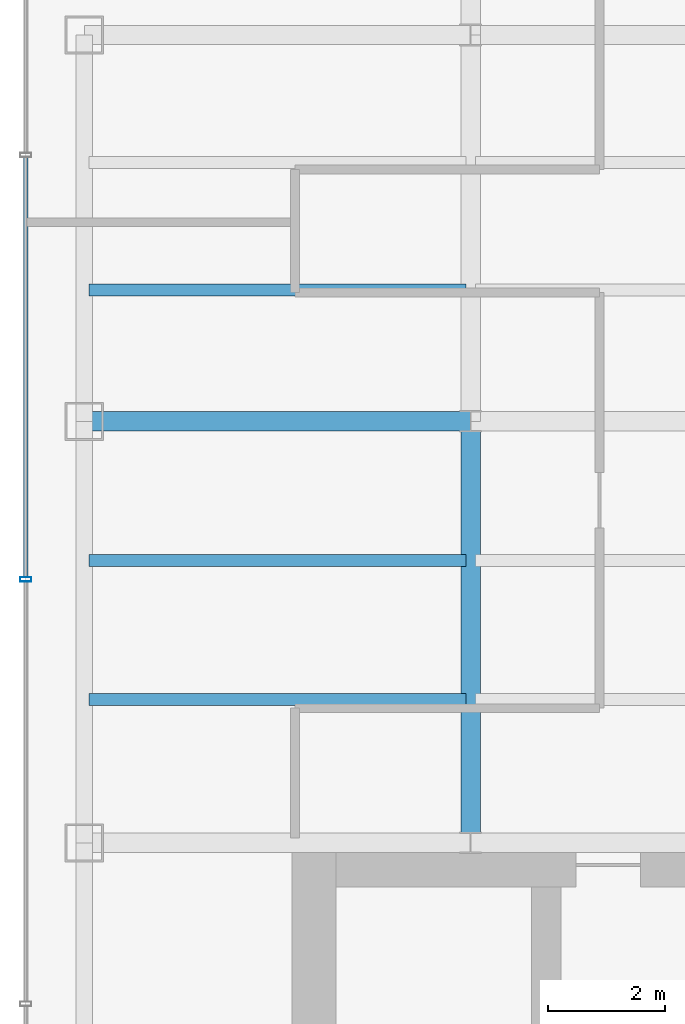
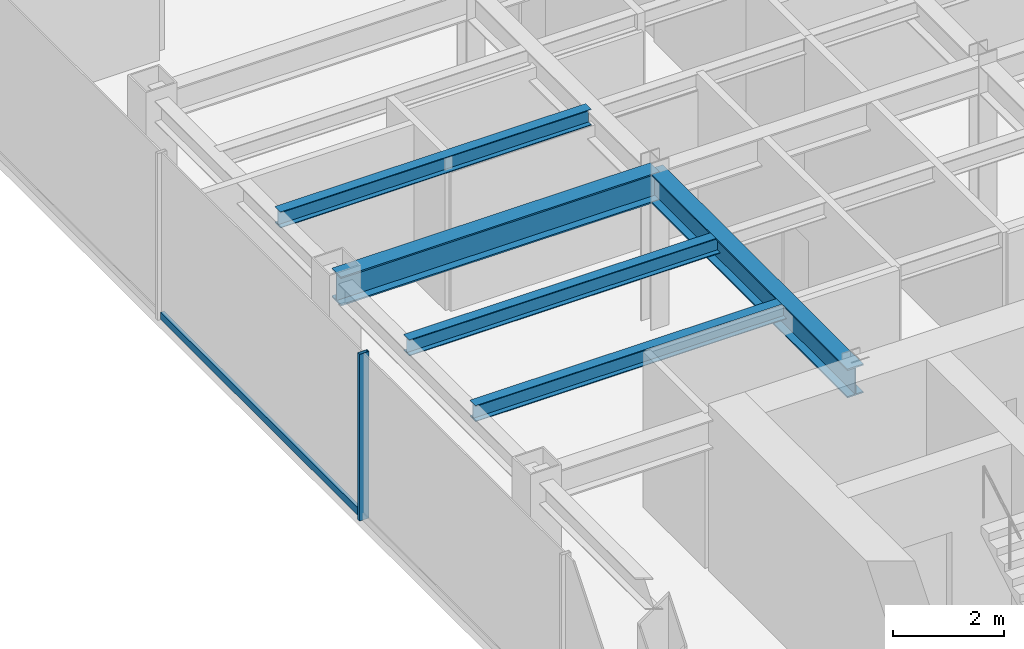
# One storey, part 5 of 25: 5 beams, 2 members, 1 element without a shape of its own.
"""IFC4 building model written with IfcOpenShell, lengths in metres."""

from ifc_helpers import new_model, si_unit, derived_unit, direction, frame, origin, origin_2d, place, context, subcontext, project, spatial, hollow_rectangle, i_section, extrude, source, transform, mapped, material, material_profile, profile_set, type_object, element, aggregate, save


model = new_model("IFC4")

# Units and contexts
model_context = context("Model", 3, precision=1e-05, world=origin(), true_north=direction((0.0, 1.0)))
body_context = subcontext(model_context, "Body", "Model", "MODEL_VIEW")
ifc_project = project(units=[si_unit("LENGTHUNIT", "METRE"), si_unit("AREAUNIT", "SQUARE_METRE"), si_unit("VOLUMEUNIT", "CUBIC_METRE"), si_unit("PLANEANGLEUNIT", "RADIAN"), si_unit("MASSUNIT", "GRAM", prefix="KILO"), derived_unit("THERMALTRANSMITTANCEUNIT", [(si_unit("POWERUNIT", "WATT"), 1), (si_unit("LENGTHUNIT", "METRE"), -2), (si_unit("THERMODYNAMICTEMPERATUREUNIT", "KELVIN"), -1)])], contexts=[model_context])

# Site, building, storey
site_placement = place(None, origin())
site = spatial("IfcSite", under=ifc_project, at=site_placement, CompositionType="ELEMENT")
building_placement = place(site_placement, origin())
building = spatial("IfcBuilding", under=site, at=building_placement, Name="Skarnbrae Concourse Arena and Tower", CompositionType="ELEMENT")
storey_placement = place(building_placement, frame((0.0, 0.0, 169.800048828125)))
storey = spatial("IfcBuildingStorey", under=building, at=storey_placement, Name="L43", CompositionType="ELEMENT", Elevation=169.800048828125)

# Beams
ifc_material_1 = material(Name="Steel CSA G40.21 350W", Category="steel")
ifc_material_profile_1 = material_profile(ifc_material_1, i_section(OverallWidth=0.3291015625, OverallDepth=0.635009765625, WebThickness=0.017822265625, FlangeThickness=0.031005859375, at=origin_2d()), Name="W610X241")
ifc_profile_set_1 = profile_set([ifc_material_profile_1], Name="Steel CSA G40.21 350W")
beam_type_1 = type_object("IfcBeamType", Name="BM-GIRD-W610X241", PredefinedType="BEAM", material=ifc_profile_set_1)
shared_shape_1 = source(origin(), body_context, "Body", "SweptSolid", [
    extrude(i_section(OverallWidth=0.3291015625, OverallDepth=0.635009765625, WebThickness=0.017822265625, FlangeThickness=0.031005859375, at=origin_2d()), origin(), (0.0, 0.0, 1.0), 6.60009765625),
])
beam_1_placement = place(storey_placement, frame((1.0, 21.199951171875, 3.08251953125), z_axis=(1.0, 0.0, 0.0), x_axis=(0.0, 1.0, 0.0)))
element("IfcBeam", 1, at=beam_1_placement, inside=storey, type_object=beam_type_1, Name="L43 Primary E-W girder Y21.2-1", PredefinedType="BEAM", context=body_context, shape_type="MappedRepresentation", body=[
    mapped(shared_shape_1, transform((0.0, 0.0, 0.0))),
])
shared_shape_2 = source(origin(), body_context, "Body", "SweptSolid", [
    extrude(i_section(OverallWidth=0.3291015625, OverallDepth=0.635009765625, WebThickness=0.017822265625, FlangeThickness=0.031005859375, at=origin_2d()), origin(), (0.0, 0.0, 1.0), 7.199951171875),
])
beam_2_placement = place(storey_placement, frame((7.60009765625, 14.0, 3.08251953125), z_axis=(0.0, 1.0, 0.0), x_axis=(-1.0, 0.0, 0.0)))
element("IfcBeam", 2, at=beam_2_placement, inside=storey, type_object=beam_type_1, Name="L43 Primary N-S girder X7.6-1", PredefinedType="BEAM", context=body_context, shape_type="MappedRepresentation", body=[
    mapped(shared_shape_2, transform((0.0, 0.0, 0.0))),
])
ifc_material_profile_2 = material_profile(ifc_material_1, i_section(OverallWidth=0.205078125, OverallDepth=0.35400390625, WebThickness=0.009521484375, FlangeThickness=0.016845703125, at=origin_2d()), Name="W360X79")
ifc_profile_set_2 = profile_set([ifc_material_profile_2], Name="Steel CSA G40.21 350W")
beam_type_2 = type_object("IfcBeamType", Name="BM-JOIST-W360X79", PredefinedType="JOIST", material=ifc_profile_set_2)
shared_shape_3 = source(origin(), body_context, "Body", "SweptSolid", [
    extrude(i_section(OverallWidth=0.205078125, OverallDepth=0.35400390625, WebThickness=0.009521484375, FlangeThickness=0.016845703125, at=origin_2d()), origin(), (0.0, 0.0, 1.0), 6.43994140625),
])
for number, where, z_axis, x_axis, name in (
    (3, (1.080078125, 16.447998046875, 3.222900390625), (1.0, 0.0, 0.0), (0.0, 1.0, 0.0), "L43 Secondary floor joist 1.1.1"),
    (4, (1.080078125, 18.823974609375, 3.222900390625), (1.0, 0.0, 0.0), (0.0, 1.0, 0.0), "L43 Secondary floor joist 1.2.1"),
    (5, (1.080078125, 23.444091796875, 3.222900390625), (1.0, 0.0, 0.0), (0.0, 1.0, 0.0), "L43 Secondary floor joist 2.1.1"),
):
    element("IfcBeam", number, at=place(storey_placement, frame(where, z_axis=z_axis, x_axis=x_axis)), inside=storey, type_object=beam_type_2, Name=name, PredefinedType="JOIST", context=body_context, shape_type="MappedRepresentation", body=[
        mapped(shared_shape_3, transform((0.0, 0.0, 0.0))),
    ])

# Curtain wall, members
ifc_material_2 = material(Name="Bronze anodised aluminium 6063-T6", Category="aluminium")
curtain_wall_type = type_object("IfcCurtainWallType", Name="CW-SYS-04-MIDZONE", PredefinedType="USERDEFINED", material=ifc_material_2)
curtain_wall_placement = place(storey_placement, origin())
curtain_wall = element("IfcCurtainWall", 6, at=curtain_wall_placement, inside=storey, type_object=curtain_wall_type, Name="L43 Unitised curtain wall CW-L43-E18", ObjectType="UNITISED CURTAIN WALL", PredefinedType="USERDEFINED")
ifc_material_profile_3 = material_profile(ifc_material_2, hollow_rectangle(XDim=0.074951171875, YDim=0.195068359375, WallThickness=0.00439453125, at=origin_2d()), Name="ALU-MULL-75X195")
ifc_profile_set_3 = profile_set([ifc_material_profile_3], Name="Bronze anodised aluminium 6063-T6")
member_type_1 = type_object("IfcMemberType", Name="CWM-CW-04", PredefinedType="MULLION", material=ifc_profile_set_3)
shared_shape_4 = source(origin(), body_context, "Body", "SweptSolid", [
    extrude(hollow_rectangle(XDim=0.074951171875, YDim=0.195068359375, WallThickness=0.00439453125, at=origin_2d()), origin(), (0.0, 0.0, 1.0), 3.64990234375),
])
member_1_placement = place(storey_placement, frame((0.0, 18.5, 0.0), z_axis=(0.0, 0.0, 1.0), x_axis=(0.0, -1.0, 0.0)))
member_1 = element("IfcMember", 7, at=member_1_placement, type_object=member_type_1, Name="CW-L43-E18 Mullion 3", PredefinedType="MULLION", context=body_context, shape_type="MappedRepresentation", body=[
    mapped(shared_shape_4, transform((0.0, 0.0, 0.0))),
])
ifc_material_profile_4 = material_profile(ifc_material_2, hollow_rectangle(XDim=0.074951171875, YDim=0.159912109375, WallThickness=0.00439453125, at=origin_2d()), Name="ALU-TRAN-75X160")
ifc_profile_set_4 = profile_set([ifc_material_profile_4], Name="Bronze anodised aluminium 6063-T6")
member_type_2 = type_object("IfcMemberType", Name="CWT-CW-04", PredefinedType="USERDEFINED", material=ifc_profile_set_4)
shared_shape_5 = source(origin(), body_context, "Body", "SweptSolid", [
    extrude(hollow_rectangle(XDim=0.074951171875, YDim=0.159912109375, WallThickness=0.00439453125, at=origin_2d()), origin(), (0.0, 0.0, 1.0), 7.1748046875),
])
member_2_placement = place(storey_placement, frame((0.0, 25.71240234375, 0.079833984375), z_axis=(0.0, -1.0, 0.0), x_axis=(1.0, 0.0, 0.0)))
member_2 = element("IfcMember", 8, at=member_2_placement, type_object=member_type_2, Name="CW-L43-E18 Transom 2", ObjectType="TRANSOM", PredefinedType="USERDEFINED", context=body_context, shape_type="MappedRepresentation", body=[
    mapped(shared_shape_5, transform((0.0, 0.0, 0.0))),
])
aggregate(curtain_wall, [member_1, member_2])

save(model, "model.ifc")
